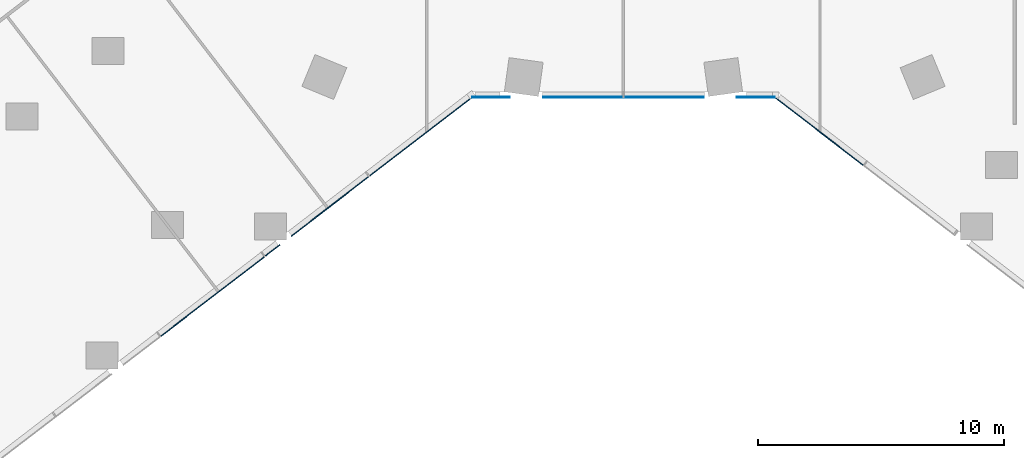
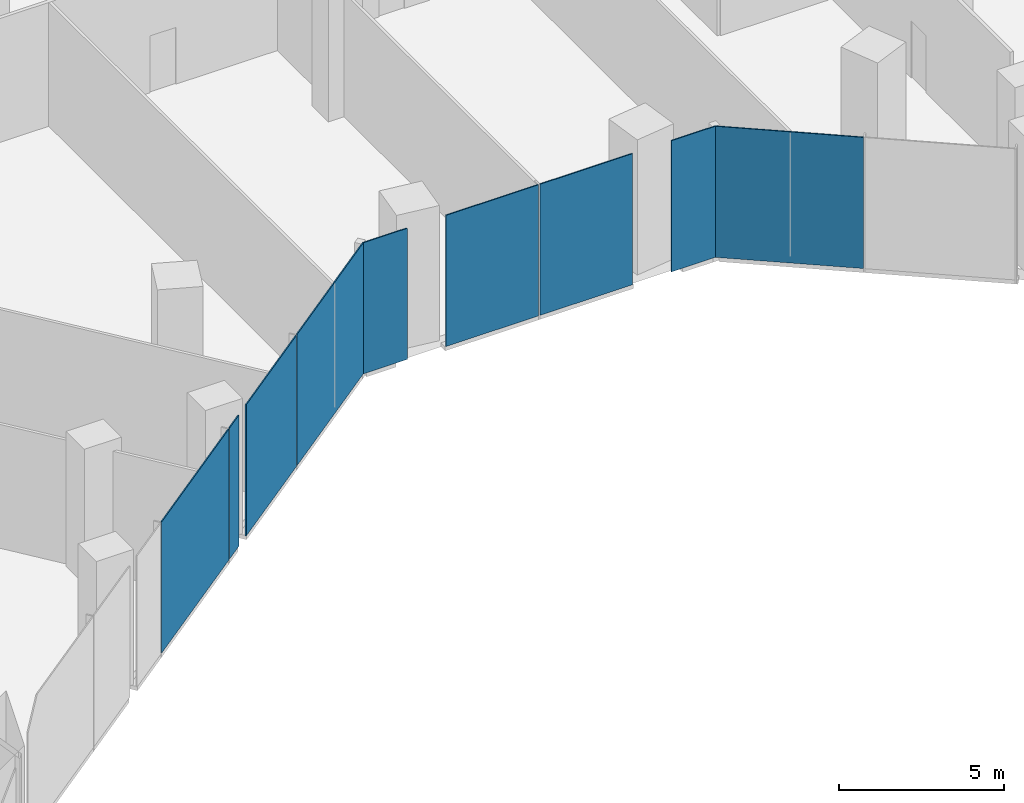
# One storey, part 15 of 29: 9 plates, 3 elements without a shape of their own.
"""IFC4 building model written with IfcOpenShell, lengths in metres."""

from ifc_helpers import new_model, si_unit, direction, frame, origin, origin_2d, place, context, subcontext, project, spatial, rectangle, extrude, material, layer, layer_set, type_object, element, aggregate, save


model = new_model("IFC4")

# Units and contexts
model_context = context("Model", 3, precision=1e-05, world=origin(), true_north=direction((0.0, 1.0)))
body_context = subcontext(model_context, "Body", "Model", "MODEL_VIEW")
ifc_project = project(units=[si_unit("LENGTHUNIT", "METRE"), si_unit("AREAUNIT", "SQUARE_METRE"), si_unit("VOLUMEUNIT", "CUBIC_METRE"), si_unit("PLANEANGLEUNIT", "RADIAN"), si_unit("MASSUNIT", "GRAM", prefix="KILO")], contexts=[model_context])

# Site, building, storey
site_placement = place(None, origin())
site = spatial("IfcSite", under=ifc_project, at=site_placement, CompositionType="ELEMENT")
building_placement = place(site_placement, origin())
building = spatial("IfcBuilding", under=site, at=building_placement, Name="Orlundy Tower", CompositionType="ELEMENT")
storey_placement = place(building_placement, frame((0.0, 0.0, 15.5)))
storey = spatial("IfcBuildingStorey", under=building, at=storey_placement, Name="L02", CompositionType="ELEMENT", Elevation=15.5)

# Curtain wall, plate
ifc_material_1 = material(Name="Aluminium bronze anodised", Category="aluminium")
curtain_wall_type = type_object("IfcCurtainWallType", Name="CW2 wall", PredefinedType="NOTDEFINED", material=ifc_material_1)
curtain_wall_1_placement = place(storey_placement, origin())
curtain_wall_1 = element("IfcCurtainWall", 1, at=curtain_wall_1_placement, inside=storey, type_object=curtain_wall_type, Name="CW2 run 00", PredefinedType="NOTDEFINED")
ifc_material_2 = material(Name="Tinted glass", Category="glass")
ifc_layer = layer(ifc_material_2, 0.0380859375)
ifc_layer_set = layer_set([ifc_layer], Name="CW2 glass panel 38")
plate_type = type_object("IfcPlateType", Name="CW2 glass panel 38", PredefinedType="CURTAIN_PANEL", material=ifc_layer_set)
plate_1_placement = place(storey_placement, frame((7.96044921875, -31.609130859375, -0.25), z_axis=(0.0, 0.0, 1.0), x_axis=(-0.793356622022, 0.60875715215, 0.0)))
plate_1 = element("IfcPlate", 2, at=plate_1_placement, type_object=plate_type, Name="CW2 panel", PredefinedType="CURTAIN_PANEL", context=body_context, shape_type="SweptSolid", body=[
    extrude(rectangle(XDim=4.52734375, YDim=0.0380859375, at=origin_2d()), origin(), (0.0, 0.0, 1.0), 4.85009765625),
])
aggregate(curtain_wall_1, [plate_1])

# Curtain wall, plates
curtain_wall_2_placement = place(storey_placement, origin())
curtain_wall_2 = element("IfcCurtainWall", 3, at=curtain_wall_2_placement, inside=storey, type_object=curtain_wall_type, Name="CW2 run 01", PredefinedType="NOTDEFINED")
plate_2_placement = place(storey_placement, frame((5.392578125, -30.23095703125, -0.25), z_axis=(0.0, 0.0, 1.0), x_axis=(-1.0, 0.0, 0.0)))
plate_2 = element("IfcPlate", 4, at=plate_2_placement, type_object=plate_type, Name="CW2 panel", PredefinedType="CURTAIN_PANEL", context=body_context, shape_type="SweptSolid", body=[
    extrude(rectangle(XDim=1.5439453125, YDim=0.0380859375, at=origin_2d()), origin(), (0.0, 0.0, 1.0), 4.85009765625),
])
plate_3_placement = place(storey_placement, frame((1.64501953125, -30.23095703125, -0.25), z_axis=(0.0, 0.0, 1.0), x_axis=(-1.0, 0.0, 0.0)))
plate_3 = element("IfcPlate", 5, at=plate_3_placement, type_object=plate_type, Name="CW2 panel", PredefinedType="CURTAIN_PANEL", context=body_context, shape_type="SweptSolid", body=[
    extrude(rectangle(XDim=3.240234375, YDim=0.0380859375, at=origin_2d()), origin(), (0.0, 0.0, 1.0), 4.85009765625),
])
plate_4_placement = place(storey_placement, frame((-1.64501953125, -30.23095703125, -0.25), z_axis=(0.0, 0.0, 1.0), x_axis=(-1.0, 0.0, 0.0)))
plate_4 = element("IfcPlate", 6, at=plate_4_placement, type_object=plate_type, Name="CW2 panel", PredefinedType="CURTAIN_PANEL", context=body_context, shape_type="SweptSolid", body=[
    extrude(rectangle(XDim=3.240234375, YDim=0.0380859375, at=origin_2d()), origin(), (0.0, 0.0, 1.0), 4.85009765625),
])
plate_5_placement = place(storey_placement, frame((-5.392578125, -30.23095703125, -0.25), z_axis=(0.0, 0.0, 1.0), x_axis=(-1.0, 0.0, 0.0)))
plate_5 = element("IfcPlate", 7, at=plate_5_placement, type_object=plate_type, Name="CW2 panel", PredefinedType="CURTAIN_PANEL", context=body_context, shape_type="SweptSolid", body=[
    extrude(rectangle(XDim=1.5439453125, YDim=0.0380859375, at=origin_2d()), origin(), (0.0, 0.0, 1.0), 4.85009765625),
])
aggregate(curtain_wall_2, [plate_2, plate_3, plate_4, plate_5])

curtain_wall_3_placement = place(storey_placement, origin())
curtain_wall_3 = element("IfcCurtainWall", 8, at=curtain_wall_3_placement, inside=storey, type_object=curtain_wall_type, Name="CW2 run 02", PredefinedType="NOTDEFINED")
plate_6_placement = place(storey_placement, frame((-8.24853515625, -31.830078125, -0.25), z_axis=(0.0, 0.0, 1.0), x_axis=(-0.793352099111, -0.608763046543, 0.0)))
plate_6 = element("IfcPlate", 9, at=plate_6_placement, type_object=plate_type, Name="CW2 panel", PredefinedType="CURTAIN_PANEL", context=body_context, shape_type="SweptSolid", body=[
    extrude(rectangle(XDim=5.25341796875, YDim=0.0380859375, at=origin_2d()), origin(), (0.0, 0.0, 1.0), 4.85009765625),
])
plate_7_placement = place(storey_placement, frame((-11.946533203125, -34.667724609375, -0.25), z_axis=(0.0, 0.0, 1.0), x_axis=(-0.793352099111, -0.608763046543, 0.0)))
plate_7 = element("IfcPlate", 10, at=plate_7_placement, type_object=plate_type, Name="CW2 panel", PredefinedType="CURTAIN_PANEL", context=body_context, shape_type="SweptSolid", body=[
    extrude(rectangle(XDim=3.96923828125, YDim=0.0380859375, at=origin_2d()), origin(), (0.0, 0.0, 1.0), 4.85009765625),
])
plate_8_placement = place(storey_placement, frame((-14.282470703125, -36.4599609375, -0.25), z_axis=(0.0, 0.0, 1.0), x_axis=(-0.793352099111, -0.608763046543, 0.0)))
plate_8 = element("IfcPlate", 11, at=plate_8_placement, type_object=plate_type, Name="CW2 panel", PredefinedType="CURTAIN_PANEL", context=body_context, shape_type="SweptSolid", body=[
    extrude(rectangle(XDim=0.755615234375, YDim=0.0380859375, at=origin_2d()), origin(), (0.0, 0.0, 1.0), 4.85009765625),
])
plate_9_placement = place(storey_placement, frame((-16.726806640625, -38.335693359375, -0.25), z_axis=(0.0, 0.0, 1.0), x_axis=(-0.793352099111, -0.608763046543, 0.0)))
plate_9 = element("IfcPlate", 12, at=plate_9_placement, type_object=plate_type, Name="CW2 panel", PredefinedType="CURTAIN_PANEL", context=body_context, shape_type="SweptSolid", body=[
    extrude(rectangle(XDim=5.306884765625, YDim=0.0380859375, at=origin_2d()), origin(), (0.0, 0.0, 1.0), 4.85009765625),
])
aggregate(curtain_wall_3, [plate_6, plate_7, plate_8, plate_9])

save(model, "model.ifc")
